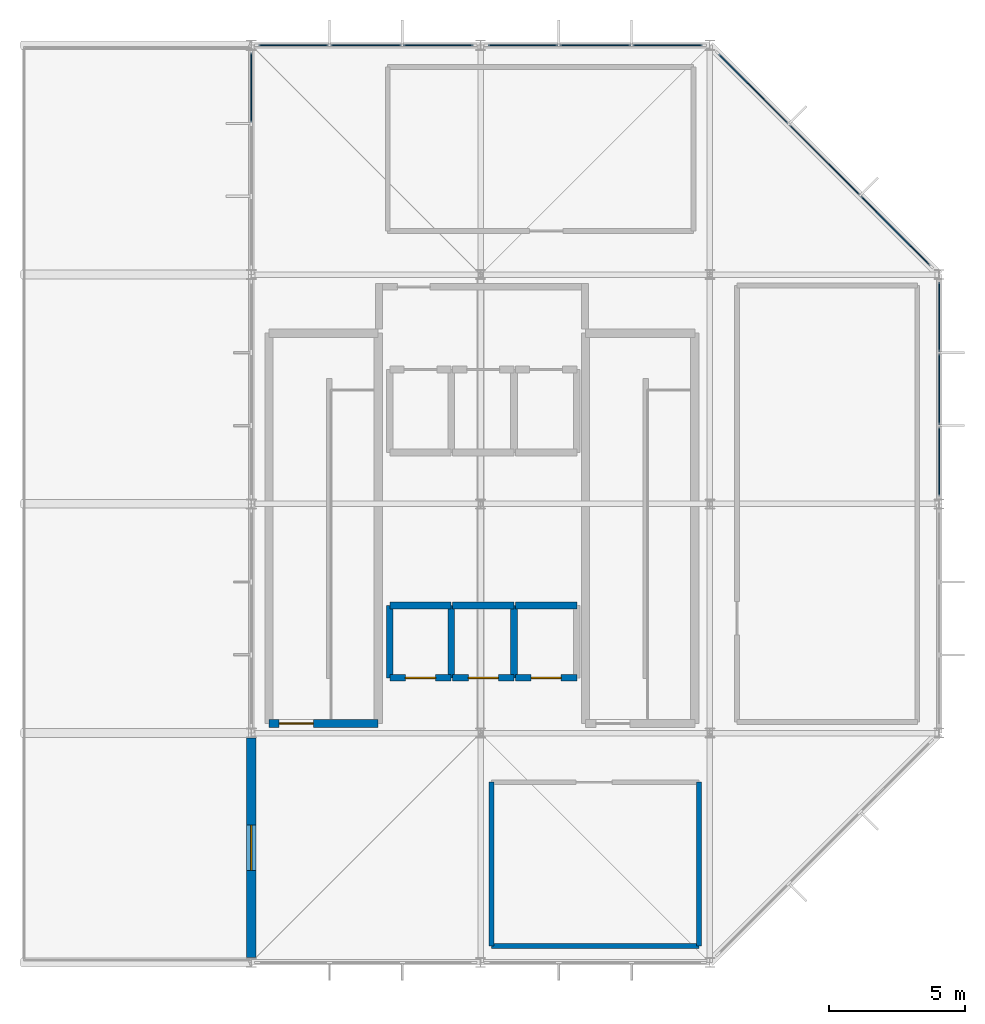
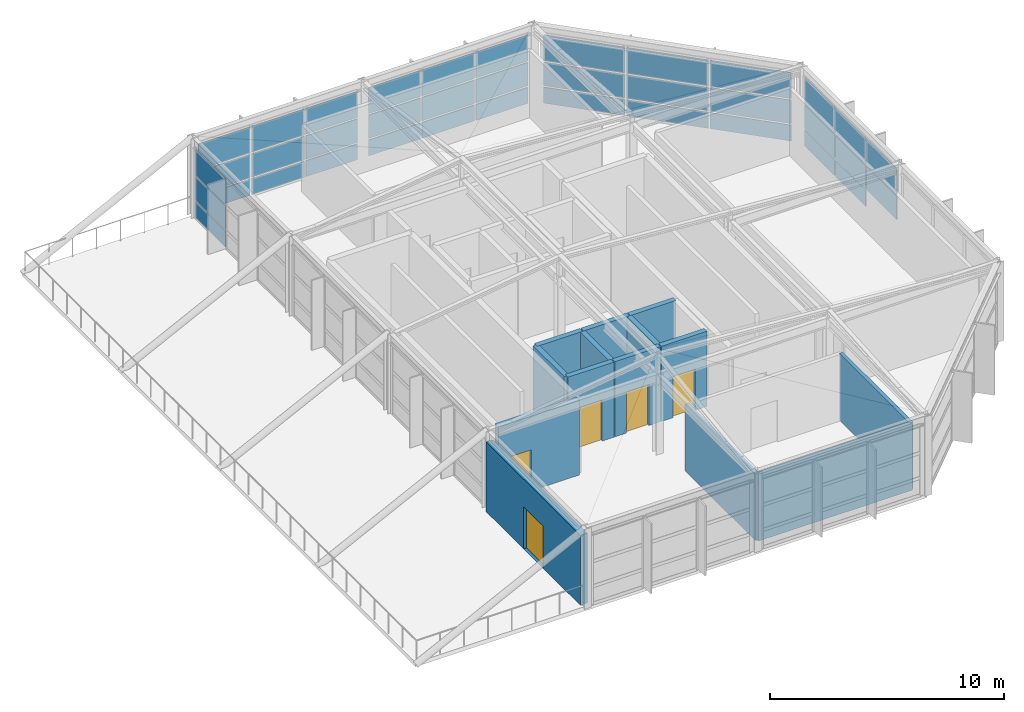
# One storey, part 7 of 9: 38 plates, 14 walls, 5 doors, 5 openings, 5 elements without a shape of their own.
"""IFC4 building model written with IfcOpenShell, lengths in metres."""

from ifc_helpers import new_model, si_unit, direction, frame, frame_2d, origin, origin_2d, place, context, subcontext, project, spatial, rectangle, extrude, material, layer, layer_set, type_object, element, fill, aggregate, save


model = new_model("IFC4")

# Units and contexts
model_context = context("Model", 3, precision=1e-05, world=origin(), true_north=direction((0.0, 1.0)))
body_context = subcontext(model_context, "Body", "Model", "MODEL_VIEW")
ifc_project = project(units=[si_unit("LENGTHUNIT", "METRE"), si_unit("AREAUNIT", "SQUARE_METRE"), si_unit("VOLUMEUNIT", "CUBIC_METRE"), si_unit("PLANEANGLEUNIT", "RADIAN"), si_unit("MASSUNIT", "GRAM", prefix="KILO")], contexts=[model_context])

# Site, building, storey
site_placement = place(None, origin())
site = spatial("IfcSite", under=ifc_project, at=site_placement, CompositionType="ELEMENT")
building_placement = place(site_placement, origin())
building = spatial("IfcBuilding", under=site, at=building_placement, Name="Xuanlan Plaza Opera House", CompositionType="ELEMENT")
storey_placement = place(building_placement, frame((0.0, 0.0, 74.39990234375)))
storey = spatial("IfcBuildingStorey", under=building, at=storey_placement, Name="ROOF", CompositionType="ELEMENT", Elevation=74.39990234375)

# Curtain wall, plates
ifc_material_1 = material(Name="Anodised Aluminium 6063-T6 and Low-E Glass", Category="aluminium")
curtain_wall_type_1 = type_object("IfcCurtainWallType", Name="ENV-CW-CW-03", PredefinedType="USERDEFINED", material=ifc_material_1)
curtain_wall_1_placement = place(storey_placement, origin())
curtain_wall_1 = element("IfcCurtainWall", 1, at=curtain_wall_1_placement, inside=storey, type_object=curtain_wall_type_1, Name="Unitised Curtain Wall ROOF-005", ObjectType="UNITISED CURTAIN WALL", PredefinedType="USERDEFINED")
ifc_material_2 = material(Name="Laminated Acoustic Double Glazing", Category="glass")
ifc_layer_1 = layer(ifc_material_2, 0.0400390625)
ifc_layer_set_1 = layer_set([ifc_layer_1], Name="Laminated Acoustic Double Glazing")
plate_type = type_object("IfcPlateType", Name="ENV-CWP-04", PredefinedType="CURTAIN_PANEL", material=ifc_layer_set_1)
plate_1_placement = place(storey_placement, frame((159.60009765625, 60.35009765625, 0.990234375), z_axis=(0.0, 0.0, 1.0), x_axis=(0.0, 1.0, 0.0)))
plate_1 = element("IfcPlate", 2, at=plate_1_placement, type_object=plate_type, Name="CW-03 panel 1.2", PredefinedType="CURTAIN_PANEL", context=body_context, shape_type="SweptSolid", body=[
    extrude(rectangle(XDim=2.550048828125, YDim=0.0400390625, at=origin_2d()), origin(), (0.0, 0.0, 1.0), 1.219970703125),
])
plate_2_placement = place(storey_placement, frame((159.60009765625, 60.35009765625, 2.2900390625), z_axis=(0.0, 0.0, 1.0), x_axis=(0.0, 1.0, 0.0)))
plate_2 = element("IfcPlate", 3, at=plate_2_placement, type_object=plate_type, Name="CW-03 panel 1.3", PredefinedType="CURTAIN_PANEL", context=body_context, shape_type="SweptSolid", body=[
    extrude(rectangle(XDim=2.550048828125, YDim=0.0400390625, at=origin_2d()), origin(), (0.0, 0.0, 1.0), 1.35009765625),
])
plate_3_placement = place(storey_placement, frame((159.60009765625, 63.0, 0.080078125), z_axis=(0.0, 0.0, 1.0), x_axis=(0.0, 1.0, 0.0)))
plate_3 = element("IfcPlate", 4, at=plate_3_placement, type_object=plate_type, Name="CW-03 panel 2.1", PredefinedType="CURTAIN_PANEL", context=body_context, shape_type="SweptSolid", body=[
    extrude(rectangle(XDim=2.590087890625, YDim=0.0400390625, at=origin_2d()), origin(), (0.0, 0.0, 1.0), 0.830078125),
])
plate_4_placement = place(storey_placement, frame((159.60009765625, 63.0, 0.990234375), z_axis=(0.0, 0.0, 1.0), x_axis=(0.0, 1.0, 0.0)))
plate_4 = element("IfcPlate", 5, at=plate_4_placement, type_object=plate_type, Name="CW-03 panel 2.2", PredefinedType="CURTAIN_PANEL", context=body_context, shape_type="SweptSolid", body=[
    extrude(rectangle(XDim=2.590087890625, YDim=0.0400390625, at=origin_2d()), origin(), (0.0, 0.0, 1.0), 1.219970703125),
])
plate_5_placement = place(storey_placement, frame((159.60009765625, 63.0, 2.2900390625), z_axis=(0.0, 0.0, 1.0), x_axis=(0.0, 1.0, 0.0)))
plate_5 = element("IfcPlate", 6, at=plate_5_placement, type_object=plate_type, Name="CW-03 panel 2.3", PredefinedType="CURTAIN_PANEL", context=body_context, shape_type="SweptSolid", body=[
    extrude(rectangle(XDim=2.590087890625, YDim=0.0400390625, at=origin_2d()), origin(), (0.0, 0.0, 1.0), 1.35009765625),
])
plate_6_placement = place(storey_placement, frame((159.60009765625, 65.64990234375, 0.080078125), z_axis=(0.0, 0.0, 1.0), x_axis=(0.0, 1.0, 0.0)))
plate_6 = element("IfcPlate", 7, at=plate_6_placement, type_object=plate_type, Name="CW-03 panel 3.1", PredefinedType="CURTAIN_PANEL", context=body_context, shape_type="SweptSolid", body=[
    extrude(rectangle(XDim=2.550048828125, YDim=0.0400390625, at=origin_2d()), origin(), (0.0, 0.0, 1.0), 0.830078125),
])
plate_7_placement = place(storey_placement, frame((159.60009765625, 65.64990234375, 0.990234375), z_axis=(0.0, 0.0, 1.0), x_axis=(0.0, 1.0, 0.0)))
plate_7 = element("IfcPlate", 8, at=plate_7_placement, type_object=plate_type, Name="CW-03 panel 3.2", PredefinedType="CURTAIN_PANEL", context=body_context, shape_type="SweptSolid", body=[
    extrude(rectangle(XDim=2.550048828125, YDim=0.0400390625, at=origin_2d()), origin(), (0.0, 0.0, 1.0), 1.219970703125),
])
plate_8_placement = place(storey_placement, frame((159.60009765625, 65.64990234375, 2.2900390625), z_axis=(0.0, 0.0, 1.0), x_axis=(0.0, 1.0, 0.0)))
plate_8 = element("IfcPlate", 9, at=plate_8_placement, type_object=plate_type, Name="CW-03 panel 3.3", PredefinedType="CURTAIN_PANEL", context=body_context, shape_type="SweptSolid", body=[
    extrude(rectangle(XDim=2.550048828125, YDim=0.0400390625, at=origin_2d()), origin(), (0.0, 0.0, 1.0), 1.35009765625),
])
aggregate(curtain_wall_1, [plate_1, plate_2, plate_3, plate_4, plate_5, plate_6, plate_7, plate_8])

curtain_wall_type_2 = type_object("IfcCurtainWallType", Name="ENV-CW-CW-04", PredefinedType="USERDEFINED", material=ifc_material_1)
curtain_wall_2_placement = place(storey_placement, origin())
curtain_wall_2 = element("IfcCurtainWall", 10, at=curtain_wall_2_placement, inside=storey, type_object=curtain_wall_type_2, Name="Unitised Curtain Wall ROOF-006", ObjectType="UNITISED CURTAIN WALL", PredefinedType="USERDEFINED")
plate_9_placement = place(storey_placement, frame((158.003173828125, 68.796875, 0.080078125), z_axis=(0.0, 0.0, 1.0), x_axis=(-0.707106781187, 0.707106781187, 0.0)))
plate_9 = element("IfcPlate", 11, at=plate_9_placement, type_object=plate_type, Name="CW-04 panel 1.1", PredefinedType="CURTAIN_PANEL", context=body_context, shape_type="SweptSolid", body=[
    extrude(rectangle(XDim=3.58154296875, YDim=0.0400390625, at=origin_2d()), origin(), (0.0, 0.0, 1.0), 0.830078125),
])
plate_10_placement = place(storey_placement, frame((158.003173828125, 68.796875, 0.990234375), z_axis=(0.0, 0.0, 1.0), x_axis=(-0.707106781187, 0.707106781187, 0.0)))
plate_10 = element("IfcPlate", 12, at=plate_10_placement, type_object=plate_type, Name="CW-04 panel 1.2", PredefinedType="CURTAIN_PANEL", context=body_context, shape_type="SweptSolid", body=[
    extrude(rectangle(XDim=3.58154296875, YDim=0.0400390625, at=origin_2d()), origin(), (0.0, 0.0, 1.0), 1.219970703125),
])
plate_11_placement = place(storey_placement, frame((158.003173828125, 68.796875, 2.2900390625), z_axis=(0.0, 0.0, 1.0), x_axis=(-0.707106781187, 0.707106781187, 0.0)))
plate_11 = element("IfcPlate", 13, at=plate_11_placement, type_object=plate_type, Name="CW-04 panel 1.3", PredefinedType="CURTAIN_PANEL", context=body_context, shape_type="SweptSolid", body=[
    extrude(rectangle(XDim=3.58154296875, YDim=0.0400390625, at=origin_2d()), origin(), (0.0, 0.0, 1.0), 1.35009765625),
])
plate_12_placement = place(storey_placement, frame((155.39990234375, 71.39990234375, 0.080078125), z_axis=(0.0, 0.0, 1.0), x_axis=(-0.707106781187, 0.707106781187, 0.0)))
plate_12 = element("IfcPlate", 14, at=plate_12_placement, type_object=plate_type, Name="CW-04 panel 2.1", PredefinedType="CURTAIN_PANEL", context=body_context, shape_type="SweptSolid", body=[
    extrude(rectangle(XDim=3.62158203125, YDim=0.0400390625, at=origin_2d()), origin(), (0.0, 0.0, 1.0), 0.830078125),
])
plate_13_placement = place(storey_placement, frame((155.39990234375, 71.39990234375, 0.990234375), z_axis=(0.0, 0.0, 1.0), x_axis=(-0.707106781187, 0.707106781187, 0.0)))
plate_13 = element("IfcPlate", 15, at=plate_13_placement, type_object=plate_type, Name="CW-04 panel 2.2", PredefinedType="CURTAIN_PANEL", context=body_context, shape_type="SweptSolid", body=[
    extrude(rectangle(XDim=3.62158203125, YDim=0.0400390625, at=origin_2d()), origin(), (0.0, 0.0, 1.0), 1.219970703125),
])
plate_14_placement = place(storey_placement, frame((155.39990234375, 71.39990234375, 2.2900390625), z_axis=(0.0, 0.0, 1.0), x_axis=(-0.707106781187, 0.707106781187, 0.0)))
plate_14 = element("IfcPlate", 16, at=plate_14_placement, type_object=plate_type, Name="CW-04 panel 2.3", PredefinedType="CURTAIN_PANEL", context=body_context, shape_type="SweptSolid", body=[
    extrude(rectangle(XDim=3.62158203125, YDim=0.0400390625, at=origin_2d()), origin(), (0.0, 0.0, 1.0), 1.35009765625),
])
plate_15_placement = place(storey_placement, frame((152.796875, 74.003173828125, 0.080078125), z_axis=(0.0, 0.0, 1.0), x_axis=(-0.707106781187, 0.707106781187, 0.0)))
plate_15 = element("IfcPlate", 17, at=plate_15_placement, type_object=plate_type, Name="CW-04 panel 3.1", PredefinedType="CURTAIN_PANEL", context=body_context, shape_type="SweptSolid", body=[
    extrude(rectangle(XDim=3.58154296875, YDim=0.0400390625, at=origin_2d()), origin(), (0.0, 0.0, 1.0), 0.830078125),
])
plate_16_placement = place(storey_placement, frame((152.796875, 74.003173828125, 0.990234375), z_axis=(0.0, 0.0, 1.0), x_axis=(-0.707106781187, 0.707106781187, 0.0)))
plate_16 = element("IfcPlate", 18, at=plate_16_placement, type_object=plate_type, Name="CW-04 panel 3.2", PredefinedType="CURTAIN_PANEL", context=body_context, shape_type="SweptSolid", body=[
    extrude(rectangle(XDim=3.58154296875, YDim=0.0400390625, at=origin_2d()), origin(), (0.0, 0.0, 1.0), 1.219970703125),
])
plate_17_placement = place(storey_placement, frame((152.796875, 74.003173828125, 2.2900390625), z_axis=(0.0, 0.0, 1.0), x_axis=(-0.707106781187, 0.707106781187, 0.0)))
plate_17 = element("IfcPlate", 19, at=plate_17_placement, type_object=plate_type, Name="CW-04 panel 3.3", PredefinedType="CURTAIN_PANEL", context=body_context, shape_type="SweptSolid", body=[
    extrude(rectangle(XDim=3.58154296875, YDim=0.0400390625, at=origin_2d()), origin(), (0.0, 0.0, 1.0), 1.35009765625),
])
aggregate(curtain_wall_2, [plate_9, plate_10, plate_11, plate_12, plate_13, plate_14, plate_15, plate_16, plate_17])

curtain_wall_3_placement = place(storey_placement, origin())
curtain_wall_3 = element("IfcCurtainWall", 20, at=curtain_wall_3_placement, inside=storey, type_object=curtain_wall_type_1, Name="Unitised Curtain Wall ROOF-007", ObjectType="UNITISED CURTAIN WALL", PredefinedType="USERDEFINED")
plate_18_placement = place(storey_placement, frame((149.64990234375, 75.60009765625, 0.080078125), z_axis=(0.0, 0.0, 1.0), x_axis=(-1.0, 0.0, 0.0)))
plate_18 = element("IfcPlate", 21, at=plate_18_placement, type_object=plate_type, Name="CW-03 panel 1.1", PredefinedType="CURTAIN_PANEL", context=body_context, shape_type="SweptSolid", body=[
    extrude(rectangle(XDim=2.550048828125, YDim=0.0400390625, at=origin_2d()), origin(), (0.0, 0.0, 1.0), 0.830078125),
])
plate_19_placement = place(storey_placement, frame((149.64990234375, 75.60009765625, 0.990234375), z_axis=(0.0, 0.0, 1.0), x_axis=(-1.0, 0.0, 0.0)))
plate_19 = element("IfcPlate", 22, at=plate_19_placement, type_object=plate_type, Name="CW-03 panel 1.2", PredefinedType="CURTAIN_PANEL", context=body_context, shape_type="SweptSolid", body=[
    extrude(rectangle(XDim=2.550048828125, YDim=0.0400390625, at=origin_2d()), origin(), (0.0, 0.0, 1.0), 1.219970703125),
])
plate_20_placement = place(storey_placement, frame((149.64990234375, 75.60009765625, 2.2900390625), z_axis=(0.0, 0.0, 1.0), x_axis=(-1.0, 0.0, 0.0)))
plate_20 = element("IfcPlate", 23, at=plate_20_placement, type_object=plate_type, Name="CW-03 panel 1.3", PredefinedType="CURTAIN_PANEL", context=body_context, shape_type="SweptSolid", body=[
    extrude(rectangle(XDim=2.550048828125, YDim=0.0400390625, at=origin_2d()), origin(), (0.0, 0.0, 1.0), 1.35009765625),
])
plate_21_placement = place(storey_placement, frame((147.0, 75.60009765625, 0.080078125), z_axis=(0.0, 0.0, 1.0), x_axis=(-1.0, 0.0, 0.0)))
plate_21 = element("IfcPlate", 24, at=plate_21_placement, type_object=plate_type, Name="CW-03 panel 2.1", PredefinedType="CURTAIN_PANEL", context=body_context, shape_type="SweptSolid", body=[
    extrude(rectangle(XDim=2.590087890625, YDim=0.0400390625, at=origin_2d()), origin(), (0.0, 0.0, 1.0), 0.830078125),
])
plate_22_placement = place(storey_placement, frame((147.0, 75.60009765625, 0.990234375), z_axis=(0.0, 0.0, 1.0), x_axis=(-1.0, 0.0, 0.0)))
plate_22 = element("IfcPlate", 25, at=plate_22_placement, type_object=plate_type, Name="CW-03 panel 2.2", PredefinedType="CURTAIN_PANEL", context=body_context, shape_type="SweptSolid", body=[
    extrude(rectangle(XDim=2.590087890625, YDim=0.0400390625, at=origin_2d()), origin(), (0.0, 0.0, 1.0), 1.219970703125),
])
plate_23_placement = place(storey_placement, frame((147.0, 75.60009765625, 2.2900390625), z_axis=(0.0, 0.0, 1.0), x_axis=(-1.0, 0.0, 0.0)))
plate_23 = element("IfcPlate", 26, at=plate_23_placement, type_object=plate_type, Name="CW-03 panel 2.3", PredefinedType="CURTAIN_PANEL", context=body_context, shape_type="SweptSolid", body=[
    extrude(rectangle(XDim=2.590087890625, YDim=0.0400390625, at=origin_2d()), origin(), (0.0, 0.0, 1.0), 1.35009765625),
])
plate_24_placement = place(storey_placement, frame((144.35009765625, 75.60009765625, 0.080078125), z_axis=(0.0, 0.0, 1.0), x_axis=(-1.0, 0.0, 0.0)))
plate_24 = element("IfcPlate", 27, at=plate_24_placement, type_object=plate_type, Name="CW-03 panel 3.1", PredefinedType="CURTAIN_PANEL", context=body_context, shape_type="SweptSolid", body=[
    extrude(rectangle(XDim=2.550048828125, YDim=0.0400390625, at=origin_2d()), origin(), (0.0, 0.0, 1.0), 0.830078125),
])
plate_25_placement = place(storey_placement, frame((144.35009765625, 75.60009765625, 0.990234375), z_axis=(0.0, 0.0, 1.0), x_axis=(-1.0, 0.0, 0.0)))
plate_25 = element("IfcPlate", 28, at=plate_25_placement, type_object=plate_type, Name="CW-03 panel 3.2", PredefinedType="CURTAIN_PANEL", context=body_context, shape_type="SweptSolid", body=[
    extrude(rectangle(XDim=2.550048828125, YDim=0.0400390625, at=origin_2d()), origin(), (0.0, 0.0, 1.0), 1.219970703125),
])
plate_26_placement = place(storey_placement, frame((144.35009765625, 75.60009765625, 2.2900390625), z_axis=(0.0, 0.0, 1.0), x_axis=(-1.0, 0.0, 0.0)))
plate_26 = element("IfcPlate", 29, at=plate_26_placement, type_object=plate_type, Name="CW-03 panel 3.3", PredefinedType="CURTAIN_PANEL", context=body_context, shape_type="SweptSolid", body=[
    extrude(rectangle(XDim=2.550048828125, YDim=0.0400390625, at=origin_2d()), origin(), (0.0, 0.0, 1.0), 1.35009765625),
])
aggregate(curtain_wall_3, [plate_18, plate_19, plate_20, plate_21, plate_22, plate_23, plate_24, plate_25, plate_26])

curtain_wall_4_placement = place(storey_placement, origin())
curtain_wall_4 = element("IfcCurtainWall", 30, at=curtain_wall_4_placement, inside=storey, type_object=curtain_wall_type_2, Name="Unitised Curtain Wall ROOF-008", ObjectType="UNITISED CURTAIN WALL", PredefinedType="USERDEFINED")
plate_27_placement = place(storey_placement, frame((141.25, 75.60009765625, 0.080078125), z_axis=(0.0, 0.0, 1.0), x_axis=(-1.0, 0.0, 0.0)))
plate_27 = element("IfcPlate", 31, at=plate_27_placement, type_object=plate_type, Name="CW-04 panel 1.1", PredefinedType="CURTAIN_PANEL", context=body_context, shape_type="SweptSolid", body=[
    extrude(rectangle(XDim=2.550048828125, YDim=0.0400390625, at=origin_2d()), origin(), (0.0, 0.0, 1.0), 0.830078125),
])
plate_28_placement = place(storey_placement, frame((141.25, 75.60009765625, 0.990234375), z_axis=(0.0, 0.0, 1.0), x_axis=(-1.0, 0.0, 0.0)))
plate_28 = element("IfcPlate", 32, at=plate_28_placement, type_object=plate_type, Name="CW-04 panel 1.2", PredefinedType="CURTAIN_PANEL", context=body_context, shape_type="SweptSolid", body=[
    extrude(rectangle(XDim=2.550048828125, YDim=0.0400390625, at=origin_2d()), origin(), (0.0, 0.0, 1.0), 1.219970703125),
])
plate_29_placement = place(storey_placement, frame((141.25, 75.60009765625, 2.2900390625), z_axis=(0.0, 0.0, 1.0), x_axis=(-1.0, 0.0, 0.0)))
plate_29 = element("IfcPlate", 33, at=plate_29_placement, type_object=plate_type, Name="CW-04 panel 1.3", PredefinedType="CURTAIN_PANEL", context=body_context, shape_type="SweptSolid", body=[
    extrude(rectangle(XDim=2.550048828125, YDim=0.0400390625, at=origin_2d()), origin(), (0.0, 0.0, 1.0), 1.35009765625),
])
plate_30_placement = place(storey_placement, frame((138.60009765625, 75.60009765625, 0.080078125), z_axis=(0.0, 0.0, 1.0), x_axis=(-1.0, 0.0, 0.0)))
plate_30 = element("IfcPlate", 34, at=plate_30_placement, type_object=plate_type, Name="CW-04 panel 2.1", PredefinedType="CURTAIN_PANEL", context=body_context, shape_type="SweptSolid", body=[
    extrude(rectangle(XDim=2.590087890625, YDim=0.0400390625, at=origin_2d()), origin(), (0.0, 0.0, 1.0), 0.830078125),
])
plate_31_placement = place(storey_placement, frame((138.60009765625, 75.60009765625, 0.990234375), z_axis=(0.0, 0.0, 1.0), x_axis=(-1.0, 0.0, 0.0)))
plate_31 = element("IfcPlate", 35, at=plate_31_placement, type_object=plate_type, Name="CW-04 panel 2.2", PredefinedType="CURTAIN_PANEL", context=body_context, shape_type="SweptSolid", body=[
    extrude(rectangle(XDim=2.590087890625, YDim=0.0400390625, at=origin_2d()), origin(), (0.0, 0.0, 1.0), 1.219970703125),
])
plate_32_placement = place(storey_placement, frame((138.60009765625, 75.60009765625, 2.2900390625), z_axis=(0.0, 0.0, 1.0), x_axis=(-1.0, 0.0, 0.0)))
plate_32 = element("IfcPlate", 36, at=plate_32_placement, type_object=plate_type, Name="CW-04 panel 2.3", PredefinedType="CURTAIN_PANEL", context=body_context, shape_type="SweptSolid", body=[
    extrude(rectangle(XDim=2.590087890625, YDim=0.0400390625, at=origin_2d()), origin(), (0.0, 0.0, 1.0), 1.35009765625),
])
plate_33_placement = place(storey_placement, frame((135.949951171875, 75.60009765625, 0.080078125), z_axis=(0.0, 0.0, 1.0), x_axis=(-1.0, 0.0, 0.0)))
plate_33 = element("IfcPlate", 37, at=plate_33_placement, type_object=plate_type, Name="CW-04 panel 3.1", PredefinedType="CURTAIN_PANEL", context=body_context, shape_type="SweptSolid", body=[
    extrude(rectangle(XDim=2.550048828125, YDim=0.0400390625, at=origin_2d()), origin(), (0.0, 0.0, 1.0), 0.830078125),
])
plate_34_placement = place(storey_placement, frame((135.949951171875, 75.60009765625, 0.990234375), z_axis=(0.0, 0.0, 1.0), x_axis=(-1.0, 0.0, 0.0)))
plate_34 = element("IfcPlate", 38, at=plate_34_placement, type_object=plate_type, Name="CW-04 panel 3.2", PredefinedType="CURTAIN_PANEL", context=body_context, shape_type="SweptSolid", body=[
    extrude(rectangle(XDim=2.550048828125, YDim=0.0400390625, at=origin_2d()), origin(), (0.0, 0.0, 1.0), 1.219970703125),
])
plate_35_placement = place(storey_placement, frame((135.949951171875, 75.60009765625, 2.2900390625), z_axis=(0.0, 0.0, 1.0), x_axis=(-1.0, 0.0, 0.0)))
plate_35 = element("IfcPlate", 39, at=plate_35_placement, type_object=plate_type, Name="CW-04 panel 3.3", PredefinedType="CURTAIN_PANEL", context=body_context, shape_type="SweptSolid", body=[
    extrude(rectangle(XDim=2.550048828125, YDim=0.0400390625, at=origin_2d()), origin(), (0.0, 0.0, 1.0), 1.35009765625),
])
aggregate(curtain_wall_4, [plate_27, plate_28, plate_29, plate_30, plate_31, plate_32, plate_33, plate_34, plate_35])

curtain_wall_5_placement = place(storey_placement, origin())
curtain_wall_5 = element("IfcCurtainWall", 40, at=curtain_wall_5_placement, inside=storey, type_object=curtain_wall_type_1, Name="Unitised Curtain Wall ROOF-009", ObjectType="UNITISED CURTAIN WALL", PredefinedType="USERDEFINED")
plate_36_placement = place(storey_placement, frame((134.39990234375, 74.050048828125, 0.080078125), z_axis=(0.0, 0.0, 1.0), x_axis=(0.0, -1.0, 0.0)))
plate_36 = element("IfcPlate", 41, at=plate_36_placement, type_object=plate_type, Name="CW-03 panel 1.1", PredefinedType="CURTAIN_PANEL", context=body_context, shape_type="SweptSolid", body=[
    extrude(rectangle(XDim=2.550048828125, YDim=0.0400390625, at=origin_2d()), origin(), (0.0, 0.0, 1.0), 0.830078125),
])
plate_37_placement = place(storey_placement, frame((134.39990234375, 74.050048828125, 0.990234375), z_axis=(0.0, 0.0, 1.0), x_axis=(0.0, -1.0, 0.0)))
plate_37 = element("IfcPlate", 42, at=plate_37_placement, type_object=plate_type, Name="CW-03 panel 1.2", PredefinedType="CURTAIN_PANEL", context=body_context, shape_type="SweptSolid", body=[
    extrude(rectangle(XDim=2.550048828125, YDim=0.0400390625, at=origin_2d()), origin(), (0.0, 0.0, 1.0), 1.219970703125),
])
plate_38_placement = place(storey_placement, frame((134.39990234375, 74.050048828125, 2.2900390625), z_axis=(0.0, 0.0, 1.0), x_axis=(0.0, -1.0, 0.0)))
plate_38 = element("IfcPlate", 43, at=plate_38_placement, type_object=plate_type, Name="CW-03 panel 1.3", PredefinedType="CURTAIN_PANEL", context=body_context, shape_type="SweptSolid", body=[
    extrude(rectangle(XDim=2.550048828125, YDim=0.0400390625, at=origin_2d()), origin(), (0.0, 0.0, 1.0), 1.35009765625),
])
aggregate(curtain_wall_5, [plate_36, plate_37, plate_38])

# Wall, opening, door
ifc_material_3 = material(Name="Anodised Aluminium 6063-T6 and Rockwool Cladding", Category="aluminium")
ifc_layer_2 = layer(ifc_material_3, 0.340087890625)
ifc_layer_set_2 = layer_set([ifc_layer_2], Name="Anodised Aluminium 6063-T6 and Rockwool Cladding")
wall_type_1 = type_object("IfcWallType", Name="ENV-WL-EW-02", PredefinedType="STANDARD", material=ifc_layer_set_2)
wall_1_placement = place(storey_placement, frame((134.39990234375, 50.22509765625, 0.0), z_axis=(0.0, 0.0, 1.0), x_axis=(0.0, -1.0, 0.0)))
wall_1 = element("IfcWall", 44, at=wall_1_placement, inside=storey, type_object=wall_type_1, Name="Sky-Lantern West Portal Wall ROOF-001", PredefinedType="STANDARD", context=body_context, shape_type="SweptSolid", body=[
    extrude(rectangle(XDim=8.050048828125, YDim=0.340087890625, at=frame_2d((4.02490234375, 0.0))), origin(), (0.0, 0.0, 1.0), 3.64013671875),
])
opening_1_placement = place(wall_1_placement, frame((3.199951171875, 0.0, 0.0)))
opening_1 = element("IfcOpeningElement", 45, at=opening_1_placement, cuts=wall_1, Name="Opening TD-01", PredefinedType="OPENING", context=body_context, shape_type="SweptSolid", body=[
    extrude(rectangle(XDim=1.64990234375, YDim=2.199951171875, at=frame_2d((0.824951171875, 1.10009765625))), frame((0.0, 0.179931640625, 0.0), z_axis=(0.0, -1.0, 0.0), x_axis=(1.0, 0.0, 0.0)), (0.0, 0.0, 1.0), 0.360107421875),
])
ifc_material_4 = material(Name="Anodised Aluminium 6063-T6 and Laminated Safety Glass", Category="aluminium")
door_type_1 = type_object("IfcDoorType", Name="ENV-DR-TD-01", OperationType="DOUBLE_DOOR_SINGLE_SWING", PredefinedType="DOOR", material=ifc_material_4)
door_1_placement = place(opening_1_placement, frame((1.64990234375, 0.0, 0.0), z_axis=(0.0, 0.0, 1.0), x_axis=(-1.0, 0.0, 0.0)))
door_1 = element("IfcDoor", 46, at=door_1_placement, inside=storey, type_object=door_type_1, Name="Crown Maintenance Roof Deck Door", OperationType="DOUBLE_DOOR_SINGLE_SWING", OverallHeight=2.199951171875, OverallWidth=1.64990234375, PredefinedType="DOOR", context=body_context, shape_type="SweptSolid", body=[
    extrude(rectangle(XDim=1.64990234375, YDim=2.199951171875, at=frame_2d((0.824951171875, 1.10009765625))), frame((0.0, 0.02490234375, 0.0), z_axis=(0.0, -1.0, 0.0), x_axis=(1.0, 0.0, 0.0)), (0.0, 0.0, 1.0), 0.050048828125),
])
fill(opening_1, door_1)

# Walls
ifc_material_5 = material(Name="Gypsum Board and Galvanised Steel Studs", Category="gypsum")
ifc_layer_3 = layer(ifc_material_5, 0.179931640625)
ifc_layer_set_3 = layer_set([ifc_layer_3], Name="Gypsum Board and Galvanised Steel Studs")
wall_type_2 = type_object("IfcWallType", Name="INT-WL-PW-02", PredefinedType="PARTITIONING", material=ifc_layer_set_3)
wall_2_placement = place(storey_placement, frame((143.199951171875, 42.60009765625, 0.0), z_axis=(0.0, 0.0, 1.0), x_axis=(1.0, 0.0, 0.0)))
element("IfcWall", 47, at=wall_2_placement, inside=storey, type_object=wall_type_2, Name="Crown Electrical Switchgear Plant Room Wall South", PredefinedType="PARTITIONING", context=body_context, shape_type="SweptSolid", body=[
    extrude(rectangle(XDim=7.60009765625, YDim=0.179931640625, at=frame_2d((3.800048828125, 0.0))), origin(), (0.0, 0.0, 1.0), 3.47998046875),
])
for number, where, z_axis, x_axis, name in (
    (48, (143.199951171875, 42.60009765625, 0.0), (0.0, 0.0, 1.0), (0.0, 1.0, 0.0), "Crown Electrical Switchgear Plant Room Wall West"),
    (49, (150.800048828125, 42.60009765625, 0.0), (0.0, 0.0, 1.0), (0.0, 1.0, 0.0), "Crown Electrical Switchgear Plant Room Wall East"),
):
    element("IfcWall", number, at=place(storey_placement, frame(where, z_axis=z_axis, x_axis=x_axis)), inside=storey, type_object=wall_type_2, Name=name, PredefinedType="PARTITIONING", context=body_context, shape_type="SweptSolid", body=[
        extrude(rectangle(XDim=6.0, YDim=0.179931640625, at=frame_2d((3.0, 0.0))), origin(), (0.0, 0.0, 1.0), 3.47998046875),
    ])

# Wall, opening, door
ifc_material_6 = material(Name="Concrete C40", Category="concrete")
ifc_layer_4 = layer(ifc_material_6, 0.25)
ifc_layer_set_4 = layer_set([ifc_layer_4], Name="Concrete C40")
wall_type_3 = type_object("IfcWallType", Name="INT-WL-SW-LF1", PredefinedType="SHEAR", material=ifc_layer_set_4)
wall_3_placement = place(storey_placement, frame((139.47509765625, 52.425048828125, 0.0), z_axis=(0.0, 0.0, 1.0), x_axis=(1.0, 0.0, 0.0)))
wall_3 = element("IfcWall", 50, at=wall_3_placement, inside=storey, type_object=wall_type_3, Name="Lift Shaft Wall LF-P1 ROOF South", PredefinedType="SHEAR", context=body_context, shape_type="SweptSolid", body=[
    extrude(rectangle(XDim=2.25, YDim=0.25, at=frame_2d((1.125, 0.0))), origin(), (0.0, 0.0, 1.0), 3.920166015625),
])
opening_2_placement = place(wall_3_placement, frame((0.574951171875, 0.0, 0.0)))
opening_2 = element("IfcOpeningElement", 51, at=opening_2_placement, cuts=wall_3, Name="Opening LD-P1-ROOF", PredefinedType="OPENING", context=body_context, shape_type="SweptSolid", body=[
    extrude(rectangle(XDim=1.10009765625, YDim=2.14990234375, at=frame_2d((0.550048828125, 1.074951171875))), frame((0.0, 0.135009765625, 0.0), z_axis=(0.0, -1.0, 0.0), x_axis=(1.0, 0.0, 0.0)), (0.0, 0.0, 1.0), 0.27001953125),
])
ifc_material_7 = material(Name="Stainless Steel S30408", Category="steel")
door_type_2 = type_object("IfcDoorType", Name="INT-DR-LD-01", OperationType="DOUBLE_DOOR_SLIDING", PredefinedType="DOOR", material=ifc_material_7)
door_2_placement = place(opening_2_placement, origin())
door_2 = element("IfcDoor", 52, at=door_2_placement, inside=storey, type_object=door_type_2, Name="Lift Sliding Landing Door LF-P1 ROOF", OperationType="DOUBLE_DOOR_SLIDING", OverallHeight=2.14990234375, OverallWidth=1.10009765625, PredefinedType="DOOR", context=body_context, shape_type="SweptSolid", body=[
    extrude(rectangle(XDim=1.10009765625, YDim=2.14990234375, at=frame_2d((0.550048828125, 1.074951171875))), frame((0.0, 0.02490234375, 0.0), z_axis=(0.0, -1.0, 0.0), x_axis=(1.0, 0.0, 0.0)), (0.0, 0.0, 1.0), 0.050048828125),
])
fill(opening_2, door_2)

# Walls
wall_4_placement = place(storey_placement, frame((139.47509765625, 55.074951171875, 0.0), z_axis=(0.0, 0.0, 1.0), x_axis=(1.0, 0.0, 0.0)))
element("IfcWall", 53, at=wall_4_placement, inside=storey, type_object=wall_type_3, Name="Lift Shaft Wall LF-P1 ROOF North", PredefinedType="SHEAR", context=body_context, shape_type="SweptSolid", body=[
    extrude(rectangle(XDim=2.25, YDim=0.25, at=frame_2d((1.125, 0.0))), origin(), (0.0, 0.0, 1.0), 3.920166015625),
])
for number, where, z_axis, x_axis, name in (
    (54, (139.47509765625, 52.425048828125, 0.0), (0.0, 0.0, 1.0), (0.0, 1.0, 0.0), "Lift Shaft Wall LF-P1 ROOF West"),
    (55, (141.72509765625, 52.425048828125, 0.0), (0.0, 0.0, 1.0), (0.0, 1.0, 0.0), "Lift Shaft Wall LF-P1 ROOF East"),
):
    element("IfcWall", number, at=place(storey_placement, frame(where, z_axis=z_axis, x_axis=x_axis)), inside=storey, type_object=wall_type_3, Name=name, PredefinedType="SHEAR", context=body_context, shape_type="SweptSolid", body=[
        extrude(rectangle(XDim=2.64990234375, YDim=0.25, at=frame_2d((1.324951171875, 0.0))), origin(), (0.0, 0.0, 1.0), 3.920166015625),
    ])

# Wall, opening, door
wall_5_placement = place(storey_placement, frame((141.77490234375, 52.425048828125, 0.0), z_axis=(0.0, 0.0, 1.0), x_axis=(1.0, 0.0, 0.0)))
wall_5 = element("IfcWall", 56, at=wall_5_placement, inside=storey, type_object=wall_type_3, Name="Lift Shaft Wall LF-P2 ROOF South", PredefinedType="SHEAR", context=body_context, shape_type="SweptSolid", body=[
    extrude(rectangle(XDim=2.25, YDim=0.25, at=frame_2d((1.125, 0.0))), origin(), (0.0, 0.0, 1.0), 3.920166015625),
])
opening_3_placement = place(wall_5_placement, frame((0.574951171875, 0.0, 0.0)))
opening_3 = element("IfcOpeningElement", 57, at=opening_3_placement, cuts=wall_5, Name="Opening LD-P2-ROOF", PredefinedType="OPENING", context=body_context, shape_type="SweptSolid", body=[
    extrude(rectangle(XDim=1.10009765625, YDim=2.14990234375, at=frame_2d((0.550048828125, 1.074951171875))), frame((0.0, 0.135009765625, 0.0), z_axis=(0.0, -1.0, 0.0), x_axis=(1.0, 0.0, 0.0)), (0.0, 0.0, 1.0), 0.27001953125),
])
door_3_placement = place(opening_3_placement, origin())
door_3 = element("IfcDoor", 58, at=door_3_placement, inside=storey, type_object=door_type_2, Name="Lift Sliding Landing Door LF-P2 ROOF", OperationType="DOUBLE_DOOR_SLIDING", OverallHeight=2.14990234375, OverallWidth=1.10009765625, PredefinedType="DOOR", context=body_context, shape_type="SweptSolid", body=[
    extrude(rectangle(XDim=1.10009765625, YDim=2.14990234375, at=frame_2d((0.550048828125, 1.074951171875))), frame((0.0, 0.02490234375, 0.0), z_axis=(0.0, -1.0, 0.0), x_axis=(1.0, 0.0, 0.0)), (0.0, 0.0, 1.0), 0.050048828125),
])
fill(opening_3, door_3)

# Walls
wall_6_placement = place(storey_placement, frame((141.77490234375, 55.074951171875, 0.0), z_axis=(0.0, 0.0, 1.0), x_axis=(1.0, 0.0, 0.0)))
element("IfcWall", 59, at=wall_6_placement, inside=storey, type_object=wall_type_3, Name="Lift Shaft Wall LF-P2 ROOF North", PredefinedType="SHEAR", context=body_context, shape_type="SweptSolid", body=[
    extrude(rectangle(XDim=2.25, YDim=0.25, at=frame_2d((1.125, 0.0))), origin(), (0.0, 0.0, 1.0), 3.920166015625),
])
wall_7_placement = place(storey_placement, frame((144.02490234375, 52.425048828125, 0.0), z_axis=(0.0, 0.0, 1.0), x_axis=(0.0, 1.0, 0.0)))
element("IfcWall", 60, at=wall_7_placement, inside=storey, type_object=wall_type_3, Name="Lift Shaft Wall LF-P2 ROOF East", PredefinedType="SHEAR", context=body_context, shape_type="SweptSolid", body=[
    extrude(rectangle(XDim=2.64990234375, YDim=0.25, at=frame_2d((1.324951171875, 0.0))), origin(), (0.0, 0.0, 1.0), 3.920166015625),
])

# Wall, opening, door
wall_8_placement = place(storey_placement, frame((144.074951171875, 52.425048828125, 0.0), z_axis=(0.0, 0.0, 1.0), x_axis=(1.0, 0.0, 0.0)))
wall_8 = element("IfcWall", 61, at=wall_8_placement, inside=storey, type_object=wall_type_3, Name="Lift Shaft Wall LF-P3 ROOF South", PredefinedType="SHEAR", context=body_context, shape_type="SweptSolid", body=[
    extrude(rectangle(XDim=2.25, YDim=0.25, at=frame_2d((1.125, 0.0))), origin(), (0.0, 0.0, 1.0), 3.920166015625),
])
opening_4_placement = place(wall_8_placement, frame((0.574951171875, 0.0, 0.0)))
opening_4 = element("IfcOpeningElement", 62, at=opening_4_placement, cuts=wall_8, Name="Opening LD-P3-ROOF", PredefinedType="OPENING", context=body_context, shape_type="SweptSolid", body=[
    extrude(rectangle(XDim=1.10009765625, YDim=2.14990234375, at=frame_2d((0.550048828125, 1.074951171875))), frame((0.0, 0.135009765625, 0.0), z_axis=(0.0, -1.0, 0.0), x_axis=(1.0, 0.0, 0.0)), (0.0, 0.0, 1.0), 0.27001953125),
])
door_4_placement = place(opening_4_placement, origin())
door_4 = element("IfcDoor", 63, at=door_4_placement, inside=storey, type_object=door_type_2, Name="Lift Sliding Landing Door LF-P3 ROOF", OperationType="DOUBLE_DOOR_SLIDING", OverallHeight=2.14990234375, OverallWidth=1.10009765625, PredefinedType="DOOR", context=body_context, shape_type="SweptSolid", body=[
    extrude(rectangle(XDim=1.10009765625, YDim=2.14990234375, at=frame_2d((0.550048828125, 1.074951171875))), frame((0.0, 0.02490234375, 0.0), z_axis=(0.0, -1.0, 0.0), x_axis=(1.0, 0.0, 0.0)), (0.0, 0.0, 1.0), 0.050048828125),
])
fill(opening_4, door_4)

# Wall
wall_9_placement = place(storey_placement, frame((144.074951171875, 55.074951171875, 0.0), z_axis=(0.0, 0.0, 1.0), x_axis=(1.0, 0.0, 0.0)))
element("IfcWall", 64, at=wall_9_placement, inside=storey, type_object=wall_type_3, Name="Lift Shaft Wall LF-P3 ROOF North", PredefinedType="SHEAR", context=body_context, shape_type="SweptSolid", body=[
    extrude(rectangle(XDim=2.25, YDim=0.25, at=frame_2d((1.125, 0.0))), origin(), (0.0, 0.0, 1.0), 3.920166015625),
])

# Wall, opening, door
ifc_layer_5 = layer(ifc_material_6, 0.300048828125)
ifc_layer_set_5 = layer_set([ifc_layer_5], Name="Concrete C40")
wall_type_4 = type_object("IfcWallType", Name="INT-WL-SW-ST1", PredefinedType="SHEAR", material=ifc_layer_set_5)
wall_10_placement = place(storey_placement, frame((135.050048828125, 50.75, 0.0), z_axis=(0.0, 0.0, 1.0), x_axis=(1.0, 0.0, 0.0)))
wall_10 = element("IfcWall", 65, at=wall_10_placement, inside=storey, type_object=wall_type_4, Name="Stair Core Wall ST-T1 ROOF South", PredefinedType="SHEAR", context=body_context, shape_type="SweptSolid", body=[
    extrude(rectangle(XDim=4.0, YDim=0.300048828125, at=frame_2d((2.0, 0.0))), origin(), (0.0, 0.0, 1.0), 3.900146484375),
])
opening_5_placement = place(wall_10_placement, frame((0.375, 0.0, 0.0)))
opening_5 = element("IfcOpeningElement", 66, at=opening_5_placement, cuts=wall_10, Name="Opening FD-ST1", PredefinedType="OPENING", context=body_context, shape_type="SweptSolid", body=[
    extrude(rectangle(XDim=1.25, YDim=2.14990234375, at=frame_2d((0.625, 1.074951171875))), frame((0.0, 0.159912109375, 0.0), z_axis=(0.0, -1.0, 0.0), x_axis=(1.0, 0.0, 0.0)), (0.0, 0.0, 1.0), 0.320068359375),
])
ifc_material_8 = material(Name="Galvanised Steel Q235B", Category="steel")
door_type_3 = type_object("IfcDoorType", Name="INT-DR-FD-ST1", OperationType="NOTDEFINED", PredefinedType="DOOR", material=ifc_material_8)
door_5_placement = place(opening_5_placement, origin())
door_5 = element("IfcDoor", 67, at=door_5_placement, inside=storey, type_object=door_type_3, Name="Stair Enclosure Fire Door ST-T1 ROOF", OperationType="SINGLE_SWING_LEFT", OverallHeight=2.14990234375, OverallWidth=1.25, PredefinedType="DOOR", context=body_context, shape_type="SweptSolid", body=[
    extrude(rectangle(XDim=1.25, YDim=2.14990234375, at=frame_2d((0.625, 1.074951171875))), frame((0.0, 0.02490234375, 0.0), z_axis=(0.0, -1.0, 0.0), x_axis=(1.0, 0.0, 0.0)), (0.0, 0.0, 1.0), 0.050048828125),
])
fill(opening_5, door_5)

save(model, "model.ifc")
